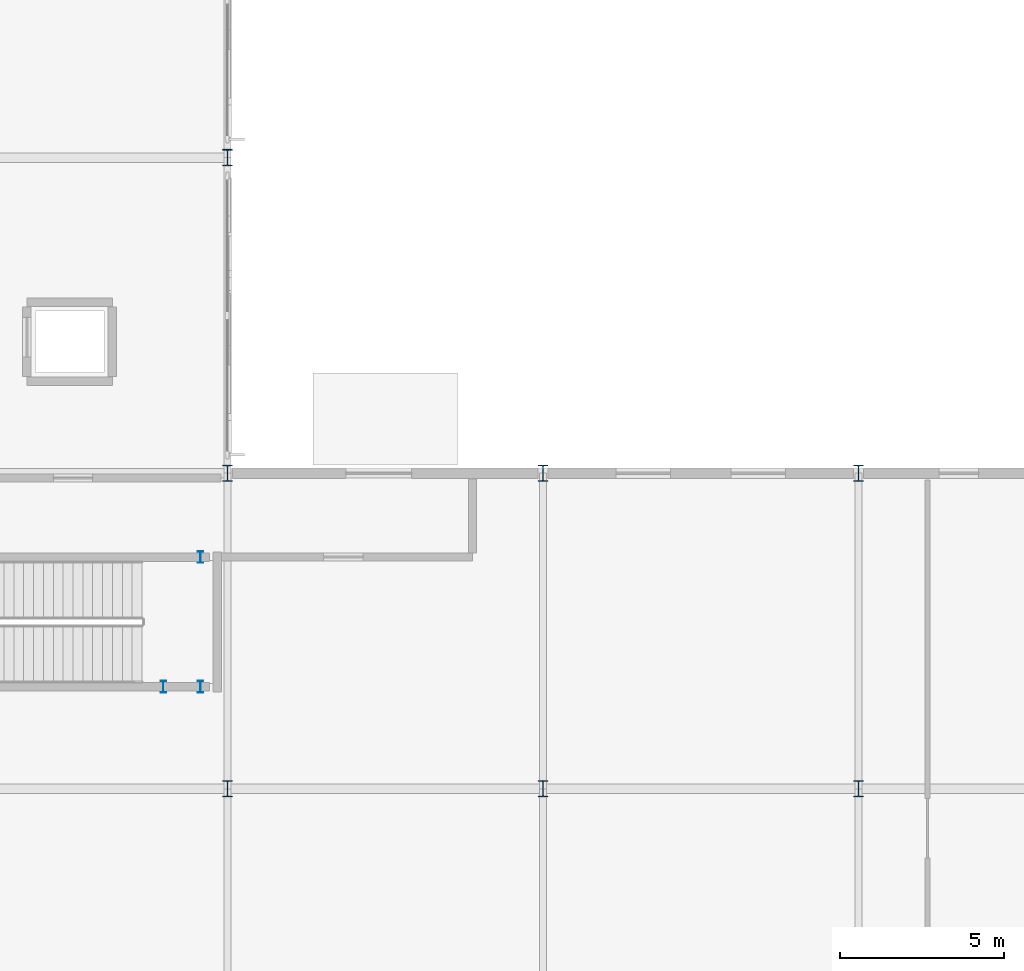
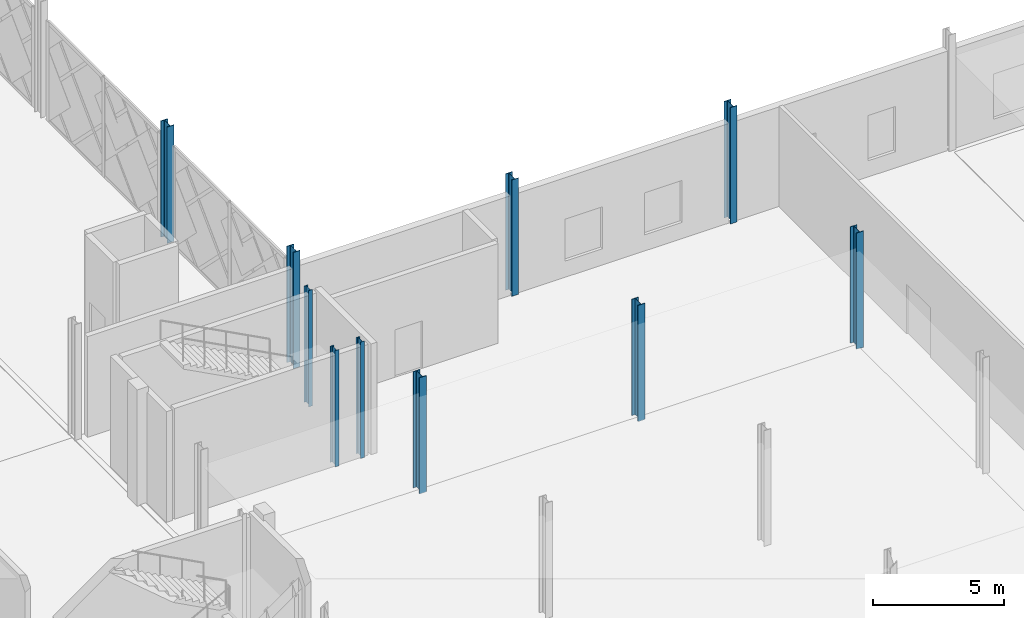
# One storey, part 8 of 84: 10 columns.
"""IFC4 building model written with IfcOpenShell, lengths in metres."""

from ifc_helpers import new_model, si_unit, direction, frame, origin, origin_2d, place, context, subcontext, project, spatial, i_section, extrude, material, material_profile, profile_set, type_object, element, save


model = new_model("IFC4")

# Units and contexts
model_context = context("Model", 3, precision=1e-05, world=origin(), true_north=direction((0.0, 1.0)))
body_context = subcontext(model_context, "Body", "Model", "MODEL_VIEW")
ifc_project = project(units=[si_unit("LENGTHUNIT", "METRE"), si_unit("AREAUNIT", "SQUARE_METRE"), si_unit("VOLUMEUNIT", "CUBIC_METRE"), si_unit("PLANEANGLEUNIT", "RADIAN"), si_unit("MASSUNIT", "GRAM", prefix="KILO")], contexts=[model_context])

# Site, building, storey
site_placement = place(None, origin())
site = spatial("IfcSite", under=ifc_project, at=site_placement, CompositionType="ELEMENT")
building_placement = place(site_placement, origin())
building = spatial("IfcBuilding", under=site, at=building_placement, Name="Zevrakil Square Congress Hotel", CompositionType="ELEMENT")
storey_placement = place(building_placement, origin())
storey = spatial("IfcBuildingStorey", under=building, at=storey_placement, Name="L01", CompositionType="ELEMENT", Elevation=0.0)

# Columns
ifc_material_1 = material(Name="Steel S355", Category="steel")
ifc_material_profile_1 = material_profile(ifc_material_1, i_section(OverallWidth=0.300048828125, OverallDepth=0.5, WebThickness=0.014404296875, FlangeThickness=0.028076171875, FilletRadius=0.027099609375, at=origin_2d()), Name="HEB 500")
ifc_profile_set_1 = profile_set([ifc_material_profile_1], Name="Steel S355")
column_type_1 = type_object("IfcColumnType", Name="COL-HEB500", PredefinedType="COLUMN", material=ifc_profile_set_1)
for number, where, z_axis, x_axis, name in (
    (1, (64.800048828125, 36.0, 0.0), (0.0, 0.0, 1.0), (1.0, 0.0, 0.0), "L01 column C-103"),
    (2, (64.800048828125, 45.60009765625, 0.0), (0.0, 0.0, 1.0), (1.0, 0.0, 0.0), "L01 column C-104"),
    (3, (64.800048828125, 55.199951171875, 0.0), (0.0, 0.0, 1.0), (1.0, 0.0, 0.0), "L01 column C-105"),
    (4, (74.39990234375, 36.0, 0.0), (0.0, 0.0, 1.0), (1.0, 0.0, 0.0), "L01 column C-117"),
    (5, (74.39990234375, 45.60009765625, 0.0), (0.0, 0.0, 1.0), (1.0, 0.0, 0.0), "L01 column C-118"),
    (6, (84.0, 36.0, 0.0), (0.0, 0.0, 1.0), (1.0, 0.0, 0.0), "L01 column C-129"),
    (7, (84.0, 45.60009765625, 0.0), (0.0, 0.0, 1.0), (1.0, 0.0, 0.0), "L01 column C-130"),
):
    element("IfcColumn", number, at=place(storey_placement, frame(where, z_axis=z_axis, x_axis=x_axis)), inside=storey, type_object=column_type_1, Name=name, PredefinedType="COLUMN", context=body_context, shape_type="SweptSolid", body=[
        extrude(i_section(OverallWidth=0.300048828125, OverallDepth=0.5, WebThickness=0.014404296875, FlangeThickness=0.028076171875, FilletRadius=0.027099609375, at=origin_2d()), origin(), (0.0, 0.0, 1.0), 5.39990234375),
    ])
ifc_material_2 = material(Name="Steel S355", Category="steel")
ifc_material_profile_2 = material_profile(ifc_material_2, i_section(OverallWidth=0.169921875, OverallDepth=0.360107421875, WebThickness=0.008056640625, FlangeThickness=0.0126953125, FilletRadius=0.01806640625, at=origin_2d()), Name="IPE 360")
ifc_profile_set_2 = profile_set([ifc_material_profile_2], Name="Steel S355")
column_type_2 = type_object("IfcColumnType", Name="COL-PILASTER-SHS180", PredefinedType="PILASTER", material=ifc_profile_set_2)
for number, where, z_axis, x_axis, name in (
    (8, (62.85009765625, 39.10009765625, 0.0), (0.0, 0.0, 1.0), (1.0, 0.0, 0.0), "L01 ST04 stair shaft post 1"),
    (9, (63.97998046875, 39.10009765625, 0.0), (0.0, 0.0, 1.0), (1.0, 0.0, 0.0), "L01 ST04 stair shaft post 2"),
    (10, (63.97998046875, 43.050048828125, 0.0), (0.0, 0.0, 1.0), (1.0, 0.0, 0.0), "L01 ST04 stair shaft post 3"),
):
    element("IfcColumn", number, at=place(storey_placement, frame(where, z_axis=z_axis, x_axis=x_axis)), inside=storey, type_object=column_type_2, Name=name, PredefinedType="PILASTER", context=body_context, shape_type="SweptSolid", body=[
        extrude(i_section(OverallWidth=0.169921875, OverallDepth=0.360107421875, WebThickness=0.008056640625, FlangeThickness=0.0126953125, FilletRadius=0.01806640625, at=origin_2d()), origin(), (0.0, 0.0, 1.0), 5.39990234375),
    ])

save(model, "model.ifc")
